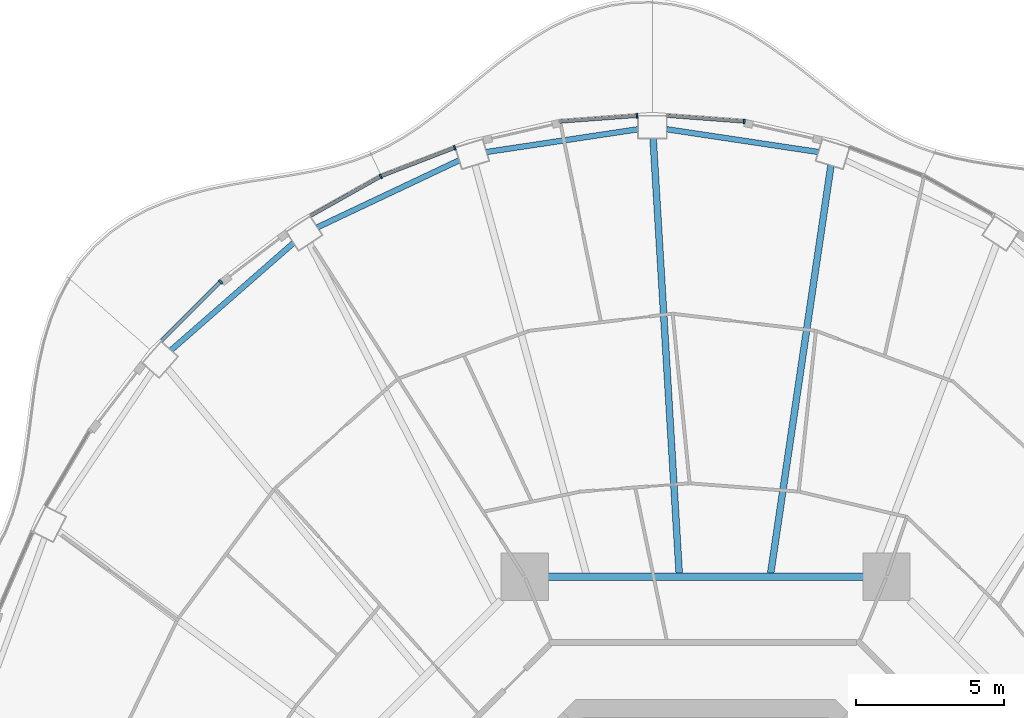
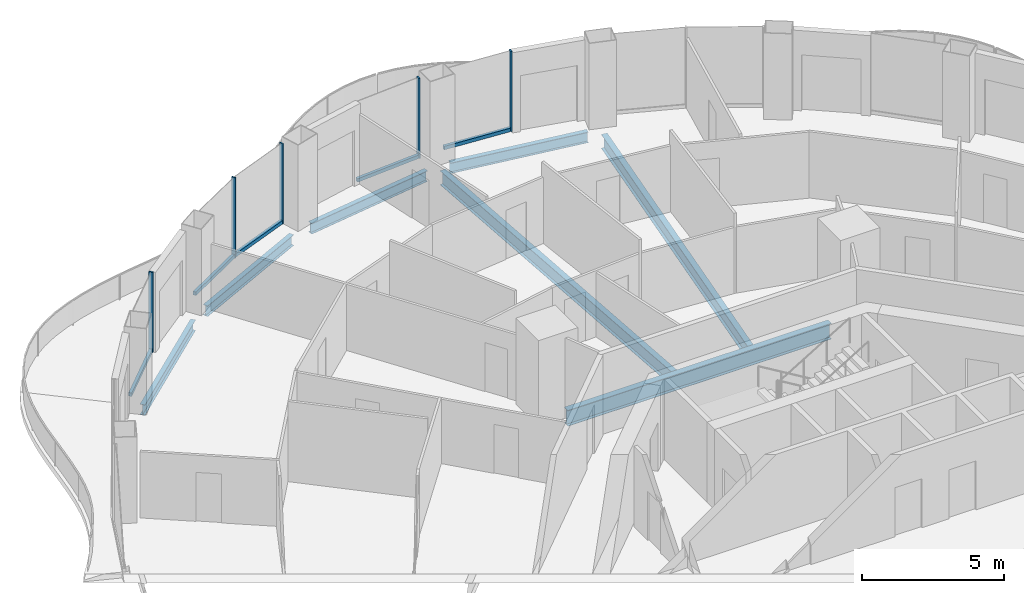
# One storey, part 6 of 18: 10 members, 7 beams, 5 elements without a shape of their own.
"""IFC4 building model written with IfcOpenShell, lengths in metres."""

import ifcopenshell
import ifcopenshell.guid

model = None  # the IFC model being written
_history = None  # IfcOwnerHistory: only IFC2X3 demands one
_inside = {}  # id of a spatial element -> (the spatial element, [elements in it])
_under = {}  # id of a project, library or spatial element -> (it, [spatial elements below it])
_declared = {}  # id of a project -> (the project, [libraries it declares])
_typed = {}  # id of a type object -> (the type object, [elements of that type])
_made_of = {}  # id of a material, layer set ... -> (it, [elements and type objects made of it])


def new_model(schema):
    """Start an empty IFC model of exactly this schema.

    Asked for "IFC4X3", IfcOpenShell would pick the latest addendum, in which some entities
    have other attributes; the version numbers below select the first issue.
    IFC2X3 requires an IfcOwnerHistory on every rooted entity: one is made here for all.
    """
    global model, _history
    if schema == "IFC4X3":
        model = ifcopenshell.file(schema_version=(4, 3, 0, 0))
    else:
        model = ifcopenshell.file(schema=schema)
    _inside.clear()
    _under.clear()
    _declared.clear()
    _typed.clear()
    _made_of.clear()
    _history = None
    if model.schema == "IFC2X3":
        org = make("IfcOrganization", Name="unknown")
        user = make(
            "IfcPersonAndOrganization",
            ThePerson=make("IfcPerson", FamilyName="unknown"),
            TheOrganization=org,
        )
        app = make(
            "IfcApplication",
            ApplicationDeveloper=org,
            Version="unknown",
            ApplicationFullName="unknown",
            ApplicationIdentifier="unknown",
        )
        _history = make(
            "IfcOwnerHistory",
            OwningUser=user,
            OwningApplication=app,
            ChangeAction="ADDED",
            CreationDate=0,
        )
    return model


def make(cls, **values):
    """One entity of the class cls with the attributes given. An attribute that is None is left unset."""
    return model.create_entity(
        cls, **{name: value for name, value in values.items() if value is not None}
    )


def rooted(cls, **values):
    """An entity with a GlobalId (a new one), such as an element, a storey or a relation."""
    return make(cls, GlobalId=ifcopenshell.guid.new(), OwnerHistory=_history, **values)


def si_unit(unit_type, name, prefix=None):
    """IfcSIUnit, for example si_unit("LENGTHUNIT", "METRE", prefix="MILLI")."""
    return make("IfcSIUnit", UnitType=unit_type, Prefix=prefix, Name=name)


def assignment(units):
    """IfcUnitAssignment: the units of a project."""
    return None if units is None else make("IfcUnitAssignment", Units=units)


def point(xyz):
    """IfcCartesianPoint."""
    return None if xyz is None else make("IfcCartesianPoint", Coordinates=xyz)


def direction(xyz):
    """IfcDirection."""
    return None if xyz is None else make("IfcDirection", DirectionRatios=xyz)


def frame(location, z_axis=None, x_axis=None):
    """IfcAxis2Placement3D, a coordinate frame: its origin and axes. An axis left out is left unset."""
    return make(
        "IfcAxis2Placement3D",
        Location=point(location),
        Axis=direction(z_axis),
        RefDirection=direction(x_axis),
    )


def frame_2d(location, x_axis=None):
    """IfcAxis2Placement2D, a coordinate frame in the plane: its origin and x axis."""
    return make(
        "IfcAxis2Placement2D", Location=point(location), RefDirection=direction(x_axis)
    )


def origin():
    """The frame at (0, 0, 0) with its axes left unset."""
    return frame((0.0, 0.0, 0.0))


def origin_2d():
    """The frame at (0, 0) in the plane with its x axis left unset."""
    return frame_2d((0.0, 0.0))


def place(relative_to, where):
    """IfcLocalPlacement: puts the frame where relative to a parent placement (None: the world)."""
    return make(
        "IfcLocalPlacement", PlacementRelTo=relative_to, RelativePlacement=where
    )


def context(
    kind, dimensions, precision=None, world=None, true_north=None, identifier=None
):
    """IfcGeometricRepresentationContext, for example the 3D "Model" context."""
    return make(
        "IfcGeometricRepresentationContext",
        ContextIdentifier=identifier,
        ContextType=kind,
        CoordinateSpaceDimension=dimensions,
        Precision=precision,
        WorldCoordinateSystem=world,
        TrueNorth=true_north,
    )


def subcontext(parent, identifier, kind, view, scale=None):
    """IfcGeometricRepresentationSubContext, for example "Body" below "Model"."""
    return make(
        "IfcGeometricRepresentationSubContext",
        ContextIdentifier=identifier,
        ContextType=kind,
        ParentContext=parent,
        TargetScale=scale,
        TargetView=view,
    )


def project(units=None, contexts=None):
    """IfcProject with its units and contexts."""
    return rooted(
        "IfcProject",
        Name="project",
        RepresentationContexts=contexts,
        UnitsInContext=assignment(units),
    )


def spatial(cls, under=None, at=None, **own):
    """A site, building, storey or space (cls), placed at a placement, below another one or the project."""
    s = rooted(cls, ObjectPlacement=at, **own)
    if under is not None:
        _under.setdefault(under.id(), (under, []))[1].append(s)
    return s


def profile(cls, at=None, kind="AREA", **sizes):
    """A parametric profile (cls). Its sizes go by their IFC names, for example OverallWidth=200.0."""
    return make(cls, ProfileType=kind, Position=at, **sizes)


def rectangle(**sizes):
    """IfcRectangleProfileDef."""
    return profile("IfcRectangleProfileDef", **sizes)


def i_section(**sizes):
    """IfcIShapeProfileDef."""
    return profile("IfcIShapeProfileDef", **sizes)


def extrude(swept, where, along, depth):
    """IfcExtrudedAreaSolid: the profile swept, set in the frame where, extruded along a direction by depth."""
    return make(
        "IfcExtrudedAreaSolid",
        SweptArea=swept,
        Position=where,
        ExtrudedDirection=direction(along),
        Depth=depth,
    )


def shape(context_of_items, identifier, shape_type, items):
    """IfcShapeRepresentation: the items that make up one representation, for example the "Body"."""
    return make(
        "IfcShapeRepresentation",
        ContextOfItems=context_of_items,
        RepresentationIdentifier=identifier,
        RepresentationType=shape_type,
        Items=items,
    )


def material(Name=None, Category=None):
    """IfcMaterial."""
    return make("IfcMaterial", Name=Name, Category=Category)


def layer(
    of_material, thickness, ventilated=None, Name=None, Category=None, Priority=None
):
    """IfcMaterialLayer: one layer of a wall or slab, of a material (None: an air gap)."""
    return make(
        "IfcMaterialLayer",
        Material=of_material,
        LayerThickness=thickness,
        IsVentilated=ventilated,
        Name=Name,
        Category=Category,
        Priority=Priority,
    )


def layer_set(layers, Name=None):
    """IfcMaterialLayerSet."""
    return make("IfcMaterialLayerSet", MaterialLayers=layers, LayerSetName=Name)


def material_profile(
    of_material, cross_section, Name=None, Category=None, Priority=None
):
    """IfcMaterialProfile: a cross section and its material."""
    return make(
        "IfcMaterialProfile",
        Name=Name,
        Material=of_material,
        Profile=cross_section,
        Priority=Priority,
        Category=Category,
    )


def profile_set(profiles, Name=None, composite=None):
    """IfcMaterialProfileSet."""
    return make(
        "IfcMaterialProfileSet",
        Name=Name,
        MaterialProfiles=profiles,
        CompositeProfile=composite,
    )


def made_of(thing, what):
    """Note that an element or type object is made of a material, layer set ...; save() writes the relation."""
    if what is not None:
        _made_of.setdefault(what.id(), (what, []))[1].append(thing)
    return thing


def type_object(cls, material=None, **own):
    """A type object (cls), such as IfcWallType, which elements share."""
    return made_of(rooted(cls, **own), material)


def element(
    cls,
    number,
    at=None,
    inside=None,
    cuts=None,
    type_object=None,
    material=None,
    context=None,
    identifier="Body",
    shape_type=None,
    held_by="IfcProductDefinitionShape",
    body=None,
    shapes=None,
    **own,
):
    """One element of the class cls, such as IfcWall. Its Tag is "e" and its number.

    at: its placement. inside: the storey or other place that contains it. cuts: it is an
    opening in that element (IfcRelVoidsElement). A single representation is given by context,
    identifier, shape_type and body (its items); several are given by shapes. held_by: the class
    of the entity that holds the representations. save() writes the other relations.
    """
    e = rooted(cls, Tag="e%d" % number, ObjectPlacement=at, **own)
    if body is not None:
        shapes = [shape(context, identifier, shape_type, body)]
    if shapes is not None:
        e.Representation = make(held_by, Representations=shapes)
    if inside is not None:
        _inside.setdefault(inside.id(), (inside, []))[1].append(e)
    if cuts is not None:
        rooted(
            "IfcRelVoidsElement", RelatingBuildingElement=cuts, RelatedOpeningElement=e
        )
    if type_object is not None:
        _typed.setdefault(type_object.id(), (type_object, []))[1].append(e)
    return made_of(e, material)


def aggregate(whole, parts):
    """IfcRelAggregates: a whole, such as a stair, and the parts it consists of."""
    return rooted("IfcRelAggregates", RelatingObject=whole, RelatedObjects=parts)


def save(model, path):
    """Write the relations noted so far, then the file.

    IfcRelAggregates (storeys below a building ...), IfcRelContainedInSpatialStructure (elements
    in a storey), IfcRelDefinesByType, IfcRelAssociatesMaterial and IfcRelDeclares: one each for
    every whole, place, type object, material and project.
    """
    for whole, parts in _under.values():
        aggregate(whole, parts)
    for where, things in _inside.values():
        rooted(
            "IfcRelContainedInSpatialStructure",
            RelatedElements=things,
            RelatingStructure=where,
        )
    for kind, things in _typed.values():
        rooted("IfcRelDefinesByType", RelatedObjects=things, RelatingType=kind)
    for what, things in _made_of.values():
        rooted("IfcRelAssociatesMaterial", RelatedObjects=things, RelatingMaterial=what)
    for by, libraries in _declared.values():
        rooted("IfcRelDeclares", RelatingContext=by, RelatedDefinitions=libraries)
    model.write(path)


model = new_model("IFC4")

# Units and contexts
model_context = context("Model", 3, precision=1e-05, world=origin(), true_north=direction((0.0, 1.0)))
body_context = subcontext(model_context, "Body", "Model", "MODEL_VIEW")
ifc_project = project(units=[si_unit("LENGTHUNIT", "METRE"), si_unit("AREAUNIT", "SQUARE_METRE"), si_unit("VOLUMEUNIT", "CUBIC_METRE"), si_unit("PLANEANGLEUNIT", "RADIAN"), si_unit("MASSUNIT", "GRAM", prefix="KILO")], contexts=[model_context])

# Site, building, storey
site_placement = place(None, origin())
site = spatial("IfcSite", under=ifc_project, at=site_placement, CompositionType="ELEMENT")
building_placement = place(site_placement, origin())
building = spatial("IfcBuilding", under=site, at=building_placement, Name="Nagisa Residences", CompositionType="ELEMENT")
storey_placement = place(building_placement, frame((0.0, 0.0, 234.39990234375)))
storey = spatial("IfcBuildingStorey", under=building, at=storey_placement, Name="L59", CompositionType="ELEMENT", Elevation=234.39990234375)

# Curtain wall, member
ifc_material_1 = material(Name="Concrete-coloured aluminium curtain wall system", Category="concrete")
ifc_layer = layer(ifc_material_1, 0.159912109375)
ifc_layer_set = layer_set([ifc_layer], Name="CW1 CURTAIN WALL")
curtain_wall_type = type_object("IfcCurtainWallType", Name="CW1 CURTAIN WALL", PredefinedType="NOTDEFINED", material=ifc_layer_set)
curtain_wall_1_placement = place(storey_placement, origin())
curtain_wall_1 = element("IfcCurtainWall", 1, at=curtain_wall_1_placement, inside=storey, type_object=curtain_wall_type, Name="cw:CW1:L59:11", PredefinedType="NOTDEFINED")
ifc_material_2 = material(Name="Concrete-coloured aluminium", Category="concrete")
ifc_material_profile_1 = material_profile(ifc_material_2, rectangle(XDim=0.159912109375, YDim=0.06005859375, at=origin_2d()), Name="CW1 MULLION 160x60")
ifc_profile_set_1 = profile_set([ifc_material_profile_1], Name="Concrete-coloured aluminium")
member_type_1 = type_object("IfcMemberType", Name="CW1 MULLION 160x60", PredefinedType="MULLION", material=ifc_profile_set_1)
member_1_placement = place(storey_placement, frame((1.305908203125, 30.19580078125, 0.0), z_axis=(0.0, 0.0, 1.0), x_axis=(-0.074377355493, -0.997230168512, 0.0)))
member_1 = element("IfcMember", 2, at=member_1_placement, type_object=member_type_1, Name="CW1 mullion", PredefinedType="MULLION", context=body_context, shape_type="SweptSolid", body=[
    extrude(rectangle(XDim=0.159912109375, YDim=0.06005859375, at=origin_2d()), origin(), (0.0, 0.0, 1.0), 3.440185546875),
])

curtain_wall_2_placement = place(storey_placement, origin())
curtain_wall_2 = element("IfcCurtainWall", 3, at=curtain_wall_2_placement, inside=storey, type_object=curtain_wall_type, Name="cw:CW1:L59:12", PredefinedType="NOTDEFINED")
member_2_placement = place(storey_placement, frame((-2.322509765625, 30.388427734375, 0.0), z_axis=(0.0, 0.0, 1.0), x_axis=(0.074377355493, -0.997230168512, 0.0)))
member_2 = element("IfcMember", 4, at=member_2_placement, type_object=member_type_1, Name="CW1 mullion", PredefinedType="MULLION", context=body_context, shape_type="SweptSolid", body=[
    extrude(rectangle(XDim=0.159912109375, YDim=0.06005859375, at=origin_2d()), origin(), (0.0, 0.0, 1.0), 3.440185546875),
])

curtain_wall_3_placement = place(storey_placement, origin())
curtain_wall_3 = element("IfcCurtainWall", 5, at=curtain_wall_3_placement, inside=storey, type_object=curtain_wall_type, Name="cw:CW1:L59:14", PredefinedType="NOTDEFINED")
member_3_placement = place(storey_placement, frame((-8.495361328125, 29.308837890625, 0.0), z_axis=(0.0, 0.0, 1.0), x_axis=(0.360327770268, -0.932825759707, 0.0)))
member_3 = element("IfcMember", 6, at=member_3_placement, type_object=member_type_1, Name="CW1 mullion", PredefinedType="MULLION", context=body_context, shape_type="SweptSolid", body=[
    extrude(rectangle(XDim=0.159912109375, YDim=0.06005859375, at=origin_2d()), origin(), (0.0, 0.0, 1.0), 3.440185546875),
])

curtain_wall_4_placement = place(storey_placement, origin())
curtain_wall_4 = element("IfcCurtainWall", 7, at=curtain_wall_4_placement, inside=storey, type_object=curtain_wall_type, Name="cw:CW1:L59:15", PredefinedType="NOTDEFINED")
member_4_placement = place(storey_placement, frame((-10.998291015625, 28.33837890625, 0.0), z_axis=(0.0, 0.0, 1.0), x_axis=(0.489376918501, -0.872072377523, 0.0)))
member_4 = element("IfcMember", 8, at=member_4_placement, type_object=member_type_1, Name="CW1 mullion", PredefinedType="MULLION", context=body_context, shape_type="SweptSolid", body=[
    extrude(rectangle(XDim=0.159912109375, YDim=0.06005859375, at=origin_2d()), origin(), (0.0, 0.0, 1.0), 3.440185546875),
])

curtain_wall_5_placement = place(storey_placement, origin())
curtain_wall_5 = element("IfcCurtainWall", 9, at=curtain_wall_5_placement, inside=storey, type_object=curtain_wall_type, Name="cw:CW1:L59:17", PredefinedType="NOTDEFINED")
member_5_placement = place(storey_placement, frame((-16.417724609375, 24.769775390625, 0.0), z_axis=(0.0, 0.0, 1.0), x_axis=(0.706376885714, -0.707835924016, 0.0)))
member_5 = element("IfcMember", 10, at=member_5_placement, type_object=member_type_1, Name="CW1 mullion", PredefinedType="MULLION", context=body_context, shape_type="SweptSolid", body=[
    extrude(rectangle(XDim=0.159912109375, YDim=0.06005859375, at=origin_2d()), origin(), (0.0, 0.0, 1.0), 3.440185546875),
])

# Member
ifc_material_3 = material(Name="Concrete-coloured aluminium", Category="concrete")
ifc_material_profile_2 = material_profile(ifc_material_3, rectangle(XDim=0.1201171875, YDim=0.14990234375, at=origin_2d()), Name="CW1 TRANSOM 120x150")
ifc_profile_set_2 = profile_set([ifc_material_profile_2], Name="Concrete-coloured aluminium")
member_type_2 = type_object("IfcMemberType", Name="CW1 TRANSOM 120x150", PredefinedType="USERDEFINED", material=ifc_profile_set_2)
member_6_placement = place(storey_placement, frame((1.335693359375, 30.193603515625, 0.0751953125), z_axis=(-0.997233213085, 0.074336523458, 0.0), x_axis=(-0.074336523458, -0.997233213085, 0.0)))
member_6 = element("IfcMember", 11, at=member_6_placement, type_object=member_type_2, Name="CW1 transom", ObjectType="TRANSOM", PredefinedType="USERDEFINED", context=body_context, shape_type="SweptSolid", body=[
    extrude(rectangle(XDim=0.1201171875, YDim=0.14990234375, at=origin_2d()), origin(), (0.0, 0.0, 1.0), 2.650390625),
])

aggregate(curtain_wall_1, [member_1, member_6])

member_7_placement = place(storey_placement, frame((-2.292724609375, 30.390625, 0.0751953125), z_axis=(-0.997233213085, -0.074336523458, 0.0), x_axis=(0.074336523458, -0.997233213085, 0.0)))
member_7 = element("IfcMember", 12, at=member_7_placement, type_object=member_type_2, Name="CW1 transom", ObjectType="TRANSOM", PredefinedType="USERDEFINED", context=body_context, shape_type="SweptSolid", body=[
    extrude(rectangle(XDim=0.1201171875, YDim=0.14990234375, at=origin_2d()), origin(), (0.0, 0.0, 1.0), 2.650390625),
])

aggregate(curtain_wall_2, [member_2, member_7])

member_8_placement = place(storey_placement, frame((-8.46728515625, 29.319580078125, 0.0751953125), z_axis=(-0.932838255163, -0.360295420044, 0.0), x_axis=(0.360295420044, -0.932838255163, 0.0)))
member_8 = element("IfcMember", 13, at=member_8_placement, type_object=member_type_2, Name="CW1 transom", ObjectType="TRANSOM", PredefinedType="USERDEFINED", context=body_context, shape_type="SweptSolid", body=[
    extrude(rectangle(XDim=0.1201171875, YDim=0.14990234375, at=origin_2d()), origin(), (0.0, 0.0, 1.0), 2.6962890625),
])

aggregate(curtain_wall_3, [member_3, member_8])

member_9_placement = place(storey_placement, frame((-10.971923828125, 28.35302734375, 0.0751953125), z_axis=(-0.872063230277, -0.489393218586, 0.0), x_axis=(0.489393218586, -0.872063230277, 0.0)))
member_9 = element("IfcMember", 14, at=member_9_placement, type_object=member_type_2, Name="CW1 transom", ObjectType="TRANSOM", PredefinedType="USERDEFINED", context=body_context, shape_type="SweptSolid", body=[
    extrude(rectangle(XDim=0.1201171875, YDim=0.14990234375, at=origin_2d()), origin(), (0.0, 0.0, 1.0), 2.73828125),
])

aggregate(curtain_wall_4, [member_4, member_9])

member_10_placement = place(storey_placement, frame((-16.396484375, 24.791015625, 0.0751953125), z_axis=(-0.707836044127, -0.706376765356, 0.0), x_axis=(0.706376765356, -0.707836044127, 0.0)))
member_10 = element("IfcMember", 15, at=member_10_placement, type_object=member_type_2, Name="CW1 transom", ObjectType="TRANSOM", PredefinedType="USERDEFINED", context=body_context, shape_type="SweptSolid", body=[
    extrude(rectangle(XDim=0.1201171875, YDim=0.14990234375, at=origin_2d()), origin(), (0.0, 0.0, 1.0), 2.84423828125),
])

aggregate(curtain_wall_5, [member_5, member_10])

# Beams
ifc_material_4 = material(Name="Steel ASTM A572 Gr 50", Category="steel")
ifc_material_profile_3 = material_profile(ifc_material_4, i_section(OverallWidth=0.2529296875, OverallDepth=0.677978515625, WebThickness=0.01171875, FlangeThickness=0.016357421875, at=origin_2d()), Name="W690x125")
ifc_profile_set_3 = profile_set([ifc_material_profile_3], Name="Steel ASTM A572 Gr 50")
beam_type_1 = type_object("IfcBeamType", Name="Inner ring beam W690x125", PredefinedType="BEAM", material=ifc_profile_set_3)
beam_1_placement = place(storey_placement, frame((5.343017578125, 14.781982421875, -0.598876953125), z_axis=(-1.0, 0.0, 0.0), x_axis=(0.0, -1.0, 0.0)))
element("IfcBeam", 16, at=beam_1_placement, inside=storey, type_object=beam_type_1, Name="beam:L59:ib2", PredefinedType="BEAM", context=body_context, shape_type="SweptSolid", body=[
    extrude(i_section(OverallWidth=0.2529296875, OverallDepth=0.677978515625, WebThickness=0.01171875, FlangeThickness=0.016357421875, at=origin_2d()), origin(), (0.0, 0.0, 1.0), 10.68603515625),
])
ifc_material_5 = material(Name="Steel ASTM A572 Gr 50", Category="steel")
ifc_material_profile_4 = material_profile(ifc_material_5, i_section(OverallWidth=0.18994140625, OverallDepth=0.45703125, WebThickness=0.009033203125, FlangeThickness=0.014404296875, at=origin_2d()), Name="W460x74")
ifc_profile_set_4 = profile_set([ifc_material_profile_4], Name="Steel ASTM A572 Gr 50")
beam_type_2 = type_object("IfcBeamType", Name="Perimeter ring beam W460x74", PredefinedType="BEAM", material=ifc_profile_set_4)
for number, where, z_axis, x_axis, name in (
    (17, (3.8203125, 29.16357421875, -0.48828125), (-0.988909463745, 0.148519603133, 0.0), (-0.148519603133, -0.988909463745, 0.0), "beam:L59:pb06"),
    (18, (-2.2802734375, 29.935546875, -0.48828125), (-0.988909463745, -0.148519603133, 0.0), (0.148519603133, -0.988909463745, 0.0), "beam:L59:pb07"),
):
    element("IfcBeam", number, at=place(storey_placement, frame(where, z_axis=z_axis, x_axis=x_axis)), inside=storey, type_object=beam_type_2, Name=name, PredefinedType="BEAM", context=body_context, shape_type="SweptSolid", body=[
        extrude(i_section(OverallWidth=0.18994140625, OverallDepth=0.45703125, WebThickness=0.009033203125, FlangeThickness=0.014404296875, at=origin_2d()), origin(), (0.0, 0.0, 1.0), 5.19775390625),
    ])
beam_2_placement = place(storey_placement, frame((-8.339111328125, 28.884033203125, -0.48828125), z_axis=(-0.904133867308, -0.42724928319, 0.0), x_axis=(0.42724928319, -0.904133867308, 0.0)))
element("IfcBeam", 19, at=beam_2_placement, inside=storey, type_object=beam_type_2, Name="beam:L59:pb08", PredefinedType="BEAM", context=body_context, shape_type="SweptSolid", body=[
    extrude(i_section(OverallWidth=0.18994140625, OverallDepth=0.45703125, WebThickness=0.009033203125, FlangeThickness=0.014404296875, at=origin_2d()), origin(), (0.0, 0.0, 1.0), 5.317138671875),
])
beam_3_placement = place(storey_placement, frame((-13.94970703125, 26.085693359375, -0.48828125), z_axis=(-0.75242320672, -0.65867998147, 0.0), x_axis=(0.65867998147, -0.75242320672, 0.0)))
element("IfcBeam", 20, at=beam_3_placement, inside=storey, type_object=beam_type_2, Name="beam:L59:pb09", PredefinedType="BEAM", context=body_context, shape_type="SweptSolid", body=[
    extrude(i_section(OverallWidth=0.18994140625, OverallDepth=0.45703125, WebThickness=0.009033203125, FlangeThickness=0.014404296875, at=origin_2d()), origin(), (0.0, 0.0, 1.0), 5.5185546875),
])
ifc_material_6 = material(Name="Steel ASTM A572 Gr 50", Category="steel")
ifc_material_profile_5 = material_profile(ifc_material_6, i_section(OverallWidth=0.22802734375, OverallDepth=0.60302734375, WebThickness=0.010498046875, FlangeThickness=0.014892578125, at=origin_2d()), Name="W610x101")
ifc_profile_set_5 = profile_set([ifc_material_profile_5], Name="Steel ASTM A572 Gr 50")
beam_type_3 = type_object("IfcBeamType", Name="Radial beam W610x101", PredefinedType="BEAM", material=ifc_profile_set_5)
beam_4_placement = place(storey_placement, frame((4.244140625, 28.711181640625, -0.5615234375), z_axis=(-0.146228868188, -0.989250786256, 0.0), x_axis=(0.989250786256, -0.146228868188, 0.0)))
element("IfcBeam", 21, at=beam_4_placement, inside=storey, type_object=beam_type_3, Name="beam:L59:rb06", PredefinedType="BEAM", context=body_context, shape_type="SweptSolid", body=[
    extrude(i_section(OverallWidth=0.22802734375, OverallDepth=0.60302734375, WebThickness=0.010498046875, FlangeThickness=0.014892578125, at=origin_2d()), origin(), (0.0, 0.0, 1.0), 13.97265625),
])
beam_5_placement = place(storey_placement, frame((-1.777099609375, 29.627685546875, -0.5615234375), z_axis=(0.059871531939, -0.998206090776, 0.0), x_axis=(0.998206090776, 0.059871531939, 0.0)))
element("IfcBeam", 22, at=beam_5_placement, inside=storey, type_object=beam_type_3, Name="beam:L59:rb07", PredefinedType="BEAM", context=body_context, shape_type="SweptSolid", body=[
    extrude(i_section(OverallWidth=0.22802734375, OverallDepth=0.60302734375, WebThickness=0.010498046875, FlangeThickness=0.014892578125, at=origin_2d()), origin(), (0.0, 0.0, 1.0), 14.765380859375),
])

save(model, "model.ifc")
